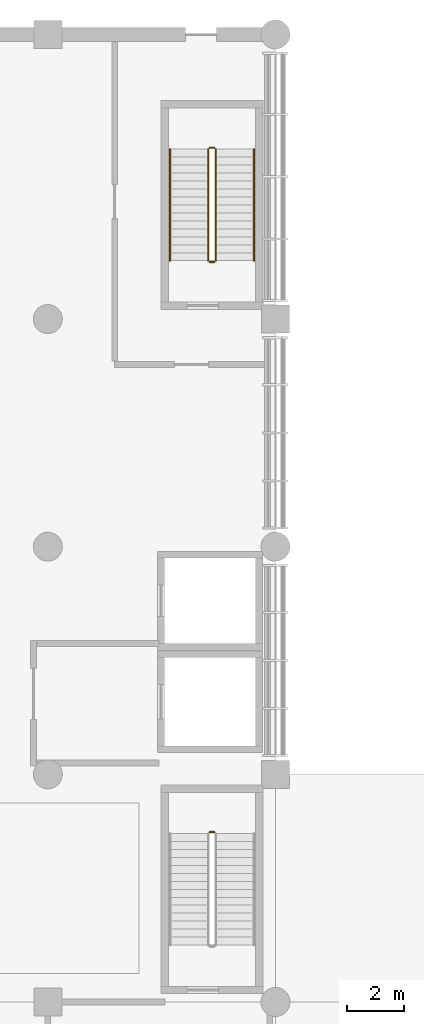
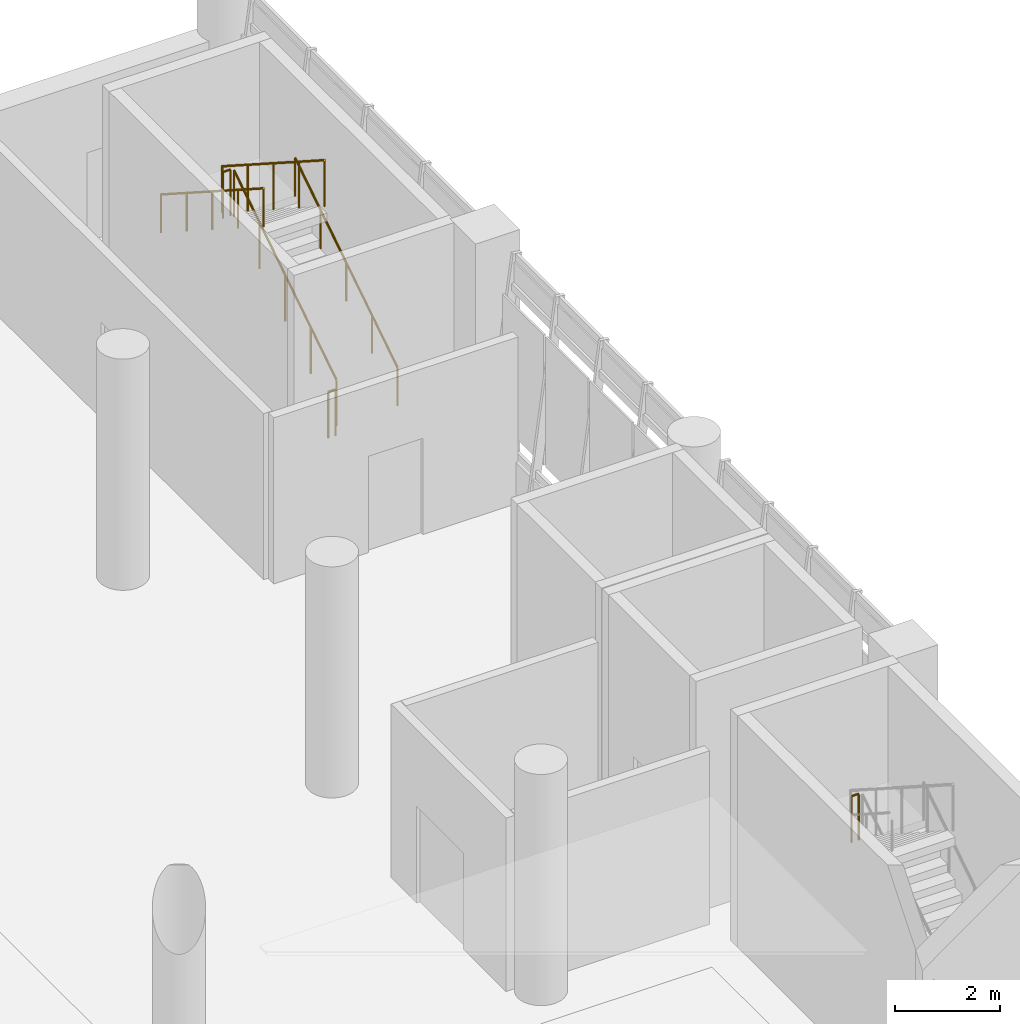
# One storey, part 40 of 42: 7 railings.
"""IFC4 building model written with IfcOpenShell, lengths in metres."""

from ifc_helpers import new_model, si_unit, direction, frame, origin, origin_2d, place, context, subcontext, project, spatial, circle, extrude, material, type_object, element, save


model = new_model("IFC4")

# Units and contexts
model_context = context("Model", 3, precision=1e-05, world=origin(), true_north=direction((0.0, 1.0)))
body_context = subcontext(model_context, "Body", "Model", "MODEL_VIEW")
ifc_project = project(units=[si_unit("LENGTHUNIT", "METRE"), si_unit("AREAUNIT", "SQUARE_METRE"), si_unit("VOLUMEUNIT", "CUBIC_METRE"), si_unit("PLANEANGLEUNIT", "RADIAN"), si_unit("MASSUNIT", "GRAM", prefix="KILO")], contexts=[model_context])

# Site, building, storey
site_placement = place(None, origin())
site = spatial("IfcSite", under=ifc_project, at=site_placement, CompositionType="ELEMENT")
building_placement = place(site_placement, origin())
building = spatial("IfcBuilding", under=site, at=building_placement, Name="Pecanmere Concourse Central Library", CompositionType="ELEMENT")
storey_placement = place(building_placement, origin())
storey = spatial("IfcBuildingStorey", under=building, at=storey_placement, Name="L01", CompositionType="ELEMENT", Elevation=0.0)

# Railings
ifc_material_1 = material(Name="Painted architectural steel ASTM A36", Category="steel")
railing_type_1 = type_object("IfcRailingType", Name="RAIL_STAIR_GUARD", PredefinedType="GUARDRAIL", material=ifc_material_1)
railing_1_placement = place(storey_placement, frame((101.85009765625, 95.969970703125, 2.699951171875)))
element("IfcRailing", 1, at=railing_1_placement, inside=storey, type_object=railing_type_1, Name="L01 ST-02 Guard 2", PredefinedType="GUARDRAIL", context=body_context, shape_type="SweptSolid", body=[
    extrude(circle(Radius=0.02392578125, at=origin_2d()), frame((0.0, 0.0, 1.076171875), z_axis=(-1.0, 0.0, 0.0), x_axis=(0.0, -1.0, 0.0)), (0.0, 0.0, 1.0), 0.16015625),
    extrude(circle(Radius=0.02099609375, at=origin_2d()), origin(), (0.0, 0.0, 1.0), 1.052001953125),
    extrude(circle(Radius=0.02099609375, at=origin_2d()), frame((-0.16015625, 0.0, 0.0)), (0.0, 0.0, 1.0), 1.052001953125),
])
railing_2_placement = place(storey_placement, frame((101.89990234375, 116.050048828125, 0.179931640625)))
element("IfcRailing", 2, at=railing_2_placement, inside=storey, type_object=railing_type_1, Name="L01 ST-04 Guard 1", PredefinedType="GUARDRAIL", context=body_context, shape_type="SweptSolid", body=[
    extrude(circle(Radius=0.02392578125, at=origin_2d()), frame((0.0, 0.0, 1.076171875), z_axis=(0.0, 0.841171666519, 0.540768182723), x_axis=(-1.0, 0.0, 0.0)), (0.0, 0.0, 1.0), 4.66015625),
    extrude(circle(Radius=0.02099609375, at=origin_2d()), origin(), (0.0, 0.0, 1.0), 1.052001953125),
    extrude(circle(Radius=0.02099609375, at=origin_2d()), frame((0.0, 0.97998046875, 0.6298828125)), (0.0, 0.0, 1.0), 1.052001953125),
    extrude(circle(Radius=0.02099609375, at=origin_2d()), frame((0.0, 1.9599609375, 1.260009765625)), (0.0, 0.0, 1.0), 1.052001953125),
    extrude(circle(Radius=0.02099609375, at=origin_2d()), frame((0.0, 2.93994140625, 1.89013671875)), (0.0, 0.0, 1.0), 1.052001953125),
    extrude(circle(Radius=0.02099609375, at=origin_2d()), frame((0.0, 3.919921875, 2.52001953125)), (0.0, 0.0, 1.0), 1.052001953125),
])
railing_3_placement = place(storey_placement, frame((101.85009765625, 120.02001953125, 2.699951171875)))
element("IfcRailing", 3, at=railing_3_placement, inside=storey, type_object=railing_type_1, Name="L01 ST-04 Guard 2", PredefinedType="GUARDRAIL", context=body_context, shape_type="SweptSolid", body=[
    extrude(circle(Radius=0.02392578125, at=origin_2d()), frame((0.0, 0.0, 1.076171875), z_axis=(-1.0, 0.0, 0.0), x_axis=(0.0, -1.0, 0.0)), (0.0, 0.0, 1.0), 0.16015625),
    extrude(circle(Radius=0.02099609375, at=origin_2d()), origin(), (0.0, 0.0, 1.0), 1.052001953125),
    extrude(circle(Radius=0.02099609375, at=origin_2d()), frame((-0.16015625, 0.0, 0.0)), (0.0, 0.0, 1.0), 1.052001953125),
])
railing_4_placement = place(storey_placement, frame((101.639892578125, 119.969970703125, 2.8798828125)))
element("IfcRailing", 4, at=railing_4_placement, inside=storey, type_object=railing_type_1, Name="L01 ST-04 Guard 3", PredefinedType="GUARDRAIL", context=body_context, shape_type="SweptSolid", body=[
    extrude(circle(Radius=0.02392578125, at=origin_2d()), frame((0.0, 0.0, 1.076171875), z_axis=(0.0, -0.841171666519, 0.540768182723), x_axis=(1.0, 0.0, 0.0)), (0.0, 0.0, 1.0), 4.66015625),
    extrude(circle(Radius=0.02099609375, at=origin_2d()), origin(), (0.0, 0.0, 1.0), 1.052001953125),
    extrude(circle(Radius=0.02099609375, at=origin_2d()), frame((0.0, -0.97998046875, 0.6298828125)), (0.0, 0.0, 1.0), 1.052001953125),
    extrude(circle(Radius=0.02099609375, at=origin_2d()), frame((0.0, -1.9599609375, 1.260009765625)), (0.0, 0.0, 1.0), 1.052001953125),
    extrude(circle(Radius=0.02099609375, at=origin_2d()), frame((0.0, -2.93994140625, 1.89013671875)), (0.0, 0.0, 1.0), 1.052001953125),
    extrude(circle(Radius=0.02099609375, at=origin_2d()), frame((0.0, -3.919921875, 2.52001953125)), (0.0, 0.0, 1.0), 1.052001953125),
])
railing_5_placement = place(storey_placement, frame((101.85009765625, 116.0, 0.0)))
element("IfcRailing", 5, at=railing_5_placement, inside=storey, type_object=railing_type_1, Name="L01 ST-04 Guard 4", PredefinedType="GUARDRAIL", context=body_context, shape_type="SweptSolid", body=[
    extrude(circle(Radius=0.02392578125, at=origin_2d()), frame((0.0, 0.0, 1.076171875), z_axis=(-1.0, 0.0, 0.0), x_axis=(0.0, -1.0, 0.0)), (0.0, 0.0, 1.0), 0.16015625),
    extrude(circle(Radius=0.02099609375, at=origin_2d()), origin(), (0.0, 0.0, 1.0), 1.052001953125),
    extrude(circle(Radius=0.02099609375, at=origin_2d()), frame((-0.16015625, 0.0, 0.0)), (0.0, 0.0, 1.0), 1.052001953125),
])
ifc_material_2 = material(Name="Brushed stainless steel Grade 316", Category="steel")
railing_type_2 = type_object("IfcRailingType", Name="RAIL_STAIR_HR", PredefinedType="HANDRAIL", material=ifc_material_2)
railing_6_placement = place(storey_placement, frame((103.25, 116.050048828125, 0.179931640625)))
element("IfcRailing", 6, at=railing_6_placement, inside=storey, type_object=railing_type_2, Name="L01 ST-04 Handrail 1", PredefinedType="HANDRAIL", context=body_context, shape_type="SweptSolid", body=[
    extrude(circle(Radius=0.02392578125, at=origin_2d()), frame((0.0, 0.0, 0.89111328125), z_axis=(0.0, 0.841171666519, 0.540768182723), x_axis=(-1.0, 0.0, 0.0)), (0.0, 0.0, 1.0), 4.66015625),
    extrude(circle(Radius=0.02099609375, at=origin_2d()), origin(), (0.0, 0.0, 1.0), 0.866943359375),
    extrude(circle(Radius=0.02099609375, at=origin_2d()), frame((0.0, 0.97998046875, 0.6298828125)), (0.0, 0.0, 1.0), 0.866943359375),
    extrude(circle(Radius=0.02099609375, at=origin_2d()), frame((0.0, 1.9599609375, 1.260009765625)), (0.0, 0.0, 1.0), 0.866943359375),
    extrude(circle(Radius=0.02099609375, at=origin_2d()), frame((0.0, 2.93994140625, 1.89013671875)), (0.0, 0.0, 1.0), 0.866943359375),
    extrude(circle(Radius=0.02099609375, at=origin_2d()), frame((0.0, 3.919921875, 2.52001953125)), (0.0, 0.0, 1.0), 0.866943359375),
])
railing_7_placement = place(storey_placement, frame((100.2900390625, 119.969970703125, 2.8798828125)))
element("IfcRailing", 7, at=railing_7_placement, inside=storey, type_object=railing_type_2, Name="L01 ST-04 Handrail 2", PredefinedType="HANDRAIL", context=body_context, shape_type="SweptSolid", body=[
    extrude(circle(Radius=0.02392578125, at=origin_2d()), frame((0.0, 0.0, 0.89111328125), z_axis=(0.0, -0.841171666519, 0.540768182723), x_axis=(1.0, 0.0, 0.0)), (0.0, 0.0, 1.0), 4.66015625),
    extrude(circle(Radius=0.02099609375, at=origin_2d()), origin(), (0.0, 0.0, 1.0), 0.866943359375),
    extrude(circle(Radius=0.02099609375, at=origin_2d()), frame((0.0, -0.97998046875, 0.6298828125)), (0.0, 0.0, 1.0), 0.866943359375),
    extrude(circle(Radius=0.02099609375, at=origin_2d()), frame((0.0, -1.9599609375, 1.260009765625)), (0.0, 0.0, 1.0), 0.866943359375),
    extrude(circle(Radius=0.02099609375, at=origin_2d()), frame((0.0, -2.93994140625, 1.89013671875)), (0.0, 0.0, 1.0), 0.866943359375),
    extrude(circle(Radius=0.02099609375, at=origin_2d()), frame((0.0, -3.919921875, 2.52001953125)), (0.0, 0.0, 1.0), 0.866943359375),
])

save(model, "model.ifc")
